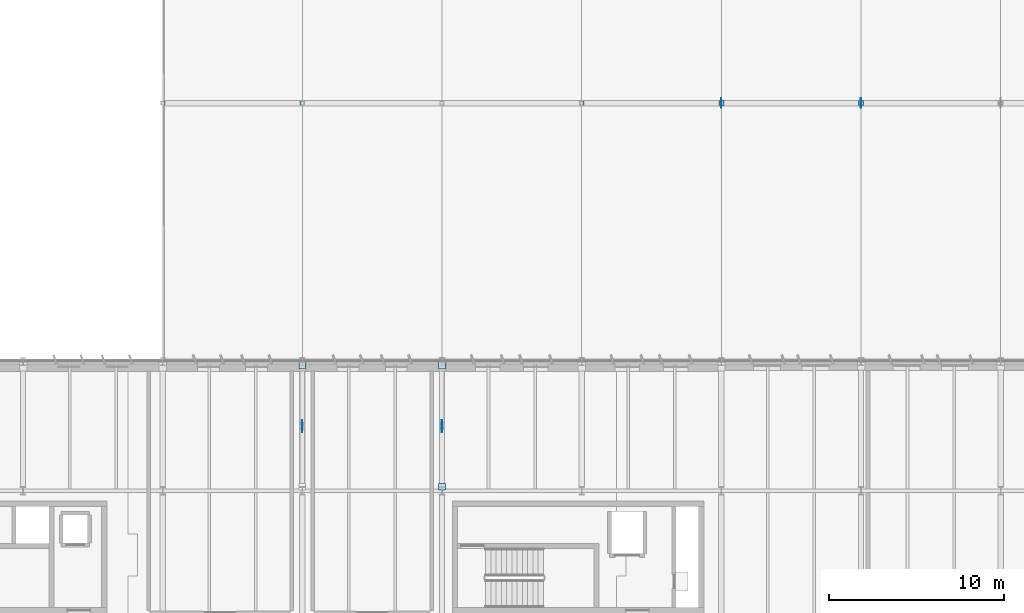
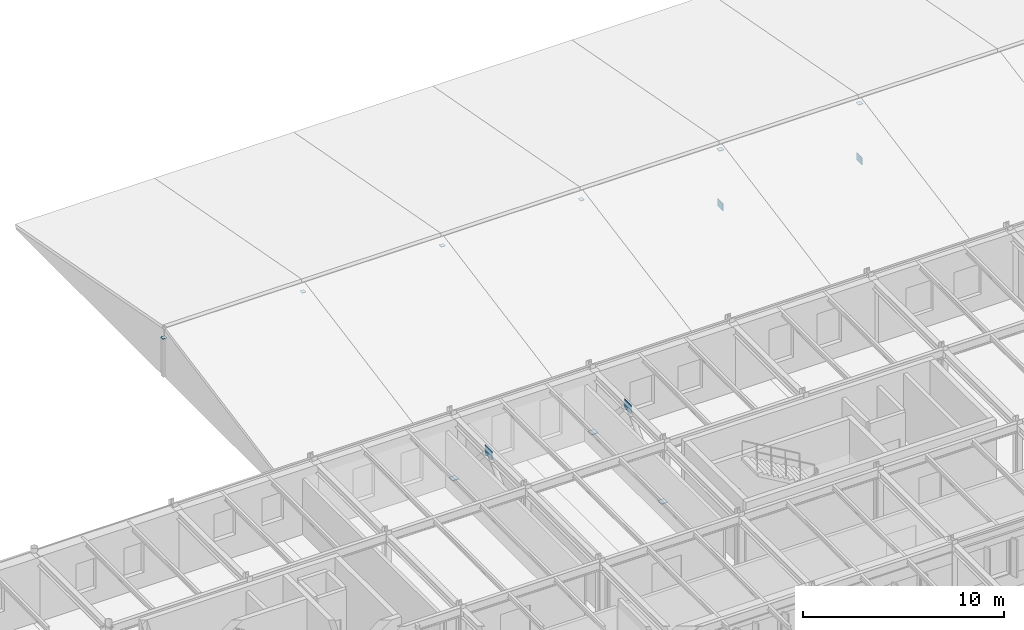
# One storey, part 37 of 63: 13 plates.
"""IFC4 building model written with IfcOpenShell, lengths in metres."""

from ifc_helpers import new_model, si_unit, direction, frame, origin, origin_2d, place, context, subcontext, project, spatial, rectangle, extrude, material, layer, layer_set, type_object, element, save


model = new_model("IFC4")

# Units and contexts
model_context = context("Model", 3, precision=1e-05, world=origin(), true_north=direction((0.0, 1.0)))
body_context = subcontext(model_context, "Body", "Model", "MODEL_VIEW")
ifc_project = project(units=[si_unit("LENGTHUNIT", "METRE"), si_unit("AREAUNIT", "SQUARE_METRE"), si_unit("VOLUMEUNIT", "CUBIC_METRE"), si_unit("PLANEANGLEUNIT", "RADIAN"), si_unit("MASSUNIT", "GRAM", prefix="KILO")], contexts=[model_context])

# Site, building, storey
site_placement = place(None, origin())
site = spatial("IfcSite", under=ifc_project, at=site_placement, CompositionType="ELEMENT")
building_placement = place(site_placement, origin())
building = spatial("IfcBuilding", under=site, at=building_placement, Name="Valkorina Park Police Headquarters", CompositionType="ELEMENT")
storey_placement = place(building_placement, frame((0.0, 0.0, 9.89990234375)))
storey = spatial("IfcBuildingStorey", under=building, at=storey_placement, Name="L03", CompositionType="ELEMENT", Elevation=9.89990234375)

# Plates
ifc_material = material(Name="Steel S355", Category="steel")
ifc_layer_1 = layer(ifc_material, 0.02001953125)
ifc_layer_set_1 = layer_set([ifc_layer_1], Name="Steel S355")
plate_type_1 = type_object("IfcPlateType", Name="PL-ENDCAP-20", PredefinedType="USERDEFINED", material=ifc_layer_set_1)
for number, where, z_axis, x_axis, name in (
    (1, (96.800048828125, 96.199951171875, 2.3251953125), (0.0, 0.0, 1.0), (1.0, 0.0, 0.0), "Hollow Column Top End Cap Plate 1"),
    (2, (104.800048828125, 96.199951171875, 2.3251953125), (0.0, 0.0, 1.0), (1.0, 0.0, 0.0), "Hollow Column Top End Cap Plate 2"),
    (3, (112.800048828125, 96.199951171875, 2.3251953125), (0.0, 0.0, 1.0), (1.0, 0.0, 0.0), "Hollow Column Top End Cap Plate 3"),
    (4, (120.800048828125, 96.199951171875, 2.3251953125), (0.0, 0.0, 1.0), (1.0, 0.0, 0.0), "Hollow Column Top End Cap Plate 4"),
):
    element("IfcPlate", number, at=place(storey_placement, frame(where, z_axis=z_axis, x_axis=x_axis)), inside=storey, type_object=plate_type_1, Name=name, ObjectType="END CAP PLATE", PredefinedType="USERDEFINED", context=body_context, shape_type="SweptSolid", body=[
        extrude(rectangle(XDim=0.239990234375, YDim=0.239990234375, at=origin_2d()), origin(), (0.0, 0.0, 1.0), 0.02001953125),
    ])
for number, where, z_axis, x_axis, name in (
    (5, (128.800048828125, 96.199951171875, 2.570068359375), (0.0, 0.0, 1.0), (1.0, 0.0, 0.0), "V3 King-Post Top End Cap Plate 52"),
    (6, (136.800048828125, 96.199951171875, 2.570068359375), (0.0, 0.0, 1.0), (1.0, 0.0, 0.0), "V3 King-Post Top End Cap Plate 54"),
):
    element("IfcPlate", number, at=place(storey_placement, frame(where, z_axis=z_axis, x_axis=x_axis)), inside=storey, type_object=plate_type_1, Name=name, ObjectType="END CAP PLATE", PredefinedType="USERDEFINED", context=body_context, shape_type="SweptSolid", body=[
        extrude(rectangle(XDim=0.280029296875, YDim=0.280029296875, at=origin_2d()), origin(), (0.0, 0.0, 1.0), 0.02001953125),
    ])
for number, where, z_axis, x_axis, name in (
    (7, (104.800048828125, 81.175048828125, 0.090087890625), (0.0, 0.0, 1.0), (1.0, 0.0, 0.0), "Brace Base End Cap Plate 230"),
    (8, (112.800048828125, 74.22509765625, 0.090087890625), (0.0, 0.0, 1.0), (1.0, 0.0, 0.0), "Brace Base End Cap Plate 244"),
    (9, (112.800048828125, 81.175048828125, 0.090087890625), (0.0, 0.0, 1.0), (1.0, 0.0, 0.0), "Brace Base End Cap Plate 245"),
):
    element("IfcPlate", number, at=place(storey_placement, frame(where, z_axis=z_axis, x_axis=x_axis)), inside=storey, type_object=plate_type_1, Name=name, ObjectType="END CAP PLATE", PredefinedType="USERDEFINED", context=body_context, shape_type="SweptSolid", body=[
        extrude(rectangle(XDim=0.3798828125, YDim=0.3798828125, at=origin_2d()), origin(), (0.0, 0.0, 1.0), 0.02001953125),
    ])
ifc_layer_2 = layer(ifc_material, 0.01611328125)
ifc_layer_set_2 = layer_set([ifc_layer_2], Name="Steel S355")
plate_type_2 = type_object("IfcPlateType", Name="PL-GUSSET-16", PredefinedType="USERDEFINED", material=ifc_layer_set_2)
for number, where, z_axis, x_axis, name in (
    (10, (128.800048828125, 96.199951171875, -1.02490234375), (0.0, 0.0, 1.0), (1.0, 0.0, 0.0), "V3 King-Post Bottom Gusset Plate 51"),
    (11, (136.800048828125, 96.199951171875, -1.02490234375), (0.0, 0.0, 1.0), (1.0, 0.0, 0.0), "V3 King-Post Bottom Gusset Plate 53"),
):
    element("IfcPlate", number, at=place(storey_placement, frame(where, z_axis=z_axis, x_axis=x_axis)), inside=storey, type_object=plate_type_2, Name=name, ObjectType="GUSSET PLATE", PredefinedType="USERDEFINED", context=body_context, shape_type="SweptSolid", body=[
        extrude(rectangle(XDim=0.01611328125, YDim=0.550048828125, at=origin_2d()), origin(), (0.0, 0.0, 1.0), 0.449951171875),
    ])
for number, where, z_axis, x_axis, name in (
    (12, (104.800048828125, 77.699951171875, 3.48486328125), (0.0, 0.0, 1.0), (1.0, 0.0, 0.0), "Chevron Apex Gusset Plate CBF-24 231"),
    (13, (112.800048828125, 77.699951171875, 3.48486328125), (0.0, 0.0, 1.0), (1.0, 0.0, 0.0), "Chevron Apex Gusset Plate CBF-34 246"),
):
    element("IfcPlate", number, at=place(storey_placement, frame(where, z_axis=z_axis, x_axis=x_axis)), inside=storey, type_object=plate_type_2, Name=name, ObjectType="GUSSET PLATE", PredefinedType="USERDEFINED", context=body_context, shape_type="SweptSolid", body=[
        extrude(rectangle(XDim=0.01611328125, YDim=0.699951171875, at=origin_2d()), origin(), (0.0, 0.0, 1.0), 0.550048828125),
    ])

save(model, "model.ifc")
